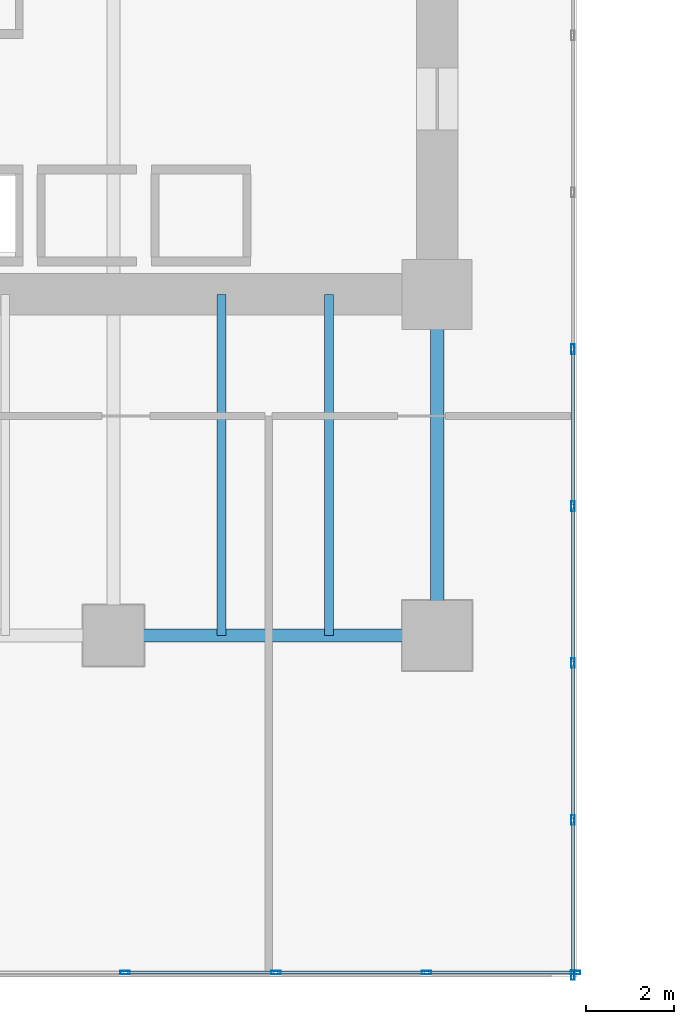
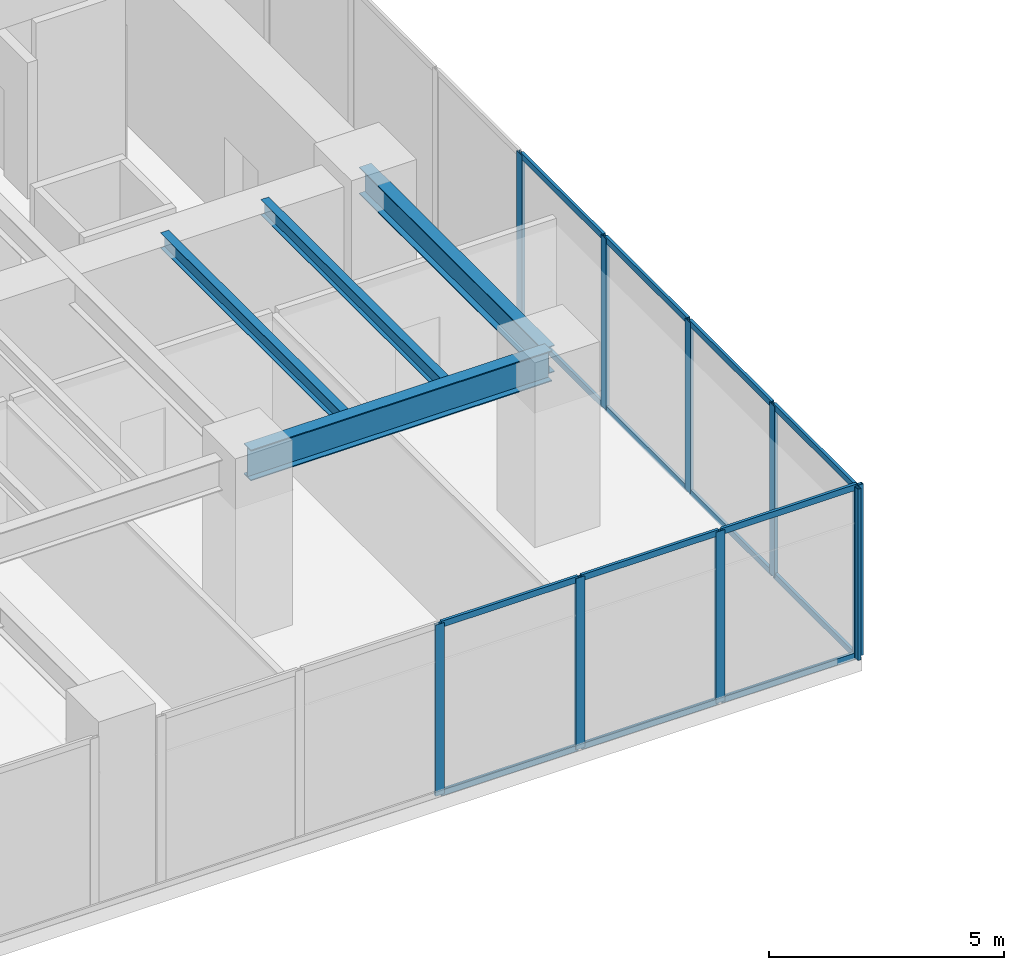
# One storey, part 4 of 33: 23 members, 4 beams, 2 elements without a shape of their own.
"""IFC4 building model written with IfcOpenShell, lengths in metres."""

from ifc_helpers import new_model, si_unit, direction, frame, origin, origin_2d, place, context, subcontext, project, spatial, hollow_rectangle, i_section, extrude, source, transform, mapped, material, layer, layer_set, material_profile, profile_set, type_object, type_shapes, element, aggregate, save


model = new_model("IFC4")

# Units and contexts
model_context = context("Model", 3, precision=1e-05, world=origin(), true_north=direction((0.0, 1.0)))
body_context = subcontext(model_context, "Body", "Model", "MODEL_VIEW")
ifc_project = project(units=[si_unit("LENGTHUNIT", "METRE"), si_unit("AREAUNIT", "SQUARE_METRE"), si_unit("VOLUMEUNIT", "CUBIC_METRE"), si_unit("PLANEANGLEUNIT", "RADIAN"), si_unit("MASSUNIT", "GRAM", prefix="KILO")], contexts=[model_context])

# Site, building, storey
site_placement = place(None, origin())
site = spatial("IfcSite", under=ifc_project, at=site_placement, CompositionType="ELEMENT")
building_placement = place(site_placement, origin())
building = spatial("IfcBuilding", under=site, at=building_placement, Name="Haelvirn Gate Laboratories", CompositionType="ELEMENT")
storey_placement = place(building_placement, frame((0.0, 0.0, 10.199951171875)))
storey = spatial("IfcBuildingStorey", under=building, at=storey_placement, Name="L03", CompositionType="ELEMENT", Elevation=10.199951171875)

# Beams
ifc_material_1 = material(Name="Steel SM420", Category="steel")
ifc_material_profile_1 = material_profile(ifc_material_1, i_section(OverallWidth=0.300048828125, OverallDepth=0.800048828125, WebThickness=0.013916015625, FlangeThickness=0.02587890625, at=origin_2d()), Name="H-800x300x14x26")
ifc_profile_set_1 = profile_set([ifc_material_profile_1], Name="Steel SM420")
beam_type_1 = type_object("IfcBeamType", Name="BM-G-800", PredefinedType="BEAM", material=ifc_profile_set_1)
shared_shape_1 = source(origin(), body_context, "Body", "SweptSolid", [
    extrude(i_section(OverallWidth=0.300048828125, OverallDepth=0.800048828125, WebThickness=0.013916015625, FlangeThickness=0.02587890625, at=origin_2d()), origin(), (0.0, 0.0, 1.0), 7.39990234375),
])
type_shapes(beam_type_1, [shared_shape_1])
beam_1_placement = place(storey_placement, frame((14.800048828125, 7.0, 4.050048828125), z_axis=(1.0, 0.0, 0.0), x_axis=(0.0, 1.0, 0.0)))
element("IfcBeam", 1, at=beam_1_placement, inside=storey, type_object=beam_type_1, Name="L03 Primary Girder Y7.0 (14.8-22.2)", PredefinedType="BEAM", context=body_context, shape_type="MappedRepresentation", body=[
    mapped(shared_shape_1, transform((0.0, 0.0, 0.0), scale=1.0)),
])
ifc_material_2 = material(Name="Steel SM355", Category="steel")
ifc_material_profile_2 = material_profile(ifc_material_2, i_section(OverallWidth=0.199951171875, OverallDepth=0.39990234375, WebThickness=0.008056640625, FlangeThickness=0.012939453125, at=origin_2d()), Name="H-400x200x8x13")
ifc_profile_set_2 = profile_set([ifc_material_profile_2], Name="Steel SM355")
beam_type_2 = type_object("IfcBeamType", Name="BM-J-400", PredefinedType="JOIST", material=ifc_profile_set_2)
shared_shape_2 = source(origin(), body_context, "Body", "SweptSolid", [
    extrude(i_section(OverallWidth=0.199951171875, OverallDepth=0.39990234375, WebThickness=0.008056640625, FlangeThickness=0.012939453125, at=origin_2d()), origin(), (0.0, 0.0, 1.0), 7.800048828125),
])
type_shapes(beam_type_2, [shared_shape_2])
for number, where, z_axis, x_axis, name in (
    (2, (17.27001953125, 7.0, 4.25), (0.0, 1.0, 0.0), (-1.0, 0.0, 0.0), "L03 Composite Lab Joist South X17.27"),
    (3, (19.72998046875, 7.0, 4.25), (0.0, 1.0, 0.0), (-1.0, 0.0, 0.0), "L03 Composite Lab Joist South X19.73"),
):
    element("IfcBeam", number, at=place(storey_placement, frame(where, z_axis=z_axis, x_axis=x_axis)), inside=storey, type_object=beam_type_2, Name=name, PredefinedType="JOIST", context=body_context, shape_type="MappedRepresentation", body=[
        mapped(shared_shape_2, transform((0.0, 0.0, 0.0), scale=1.0)),
    ])
ifc_material_profile_3 = material_profile(ifc_material_2, i_section(OverallWidth=0.300048828125, OverallDepth=0.699951171875, WebThickness=0.012939453125, FlangeThickness=0.02392578125, at=origin_2d()), Name="H-700x300x13x24")
ifc_profile_set_3 = profile_set([ifc_material_profile_3], Name="Steel SM355")
beam_type_3 = type_object("IfcBeamType", Name="BM-G-700", PredefinedType="BEAM", material=ifc_profile_set_3)
shared_shape_3 = source(origin(), body_context, "Body", "SweptSolid", [
    extrude(i_section(OverallWidth=0.300048828125, OverallDepth=0.699951171875, WebThickness=0.012939453125, FlangeThickness=0.02392578125, at=origin_2d()), origin(), (0.0, 0.0, 1.0), 7.800048828125),
])
type_shapes(beam_type_3, [shared_shape_3])
beam_2_placement = place(storey_placement, frame((22.199951171875, 7.0, 4.10009765625), z_axis=(0.0, 1.0, 0.0), x_axis=(-1.0, 0.0, 0.0)))
element("IfcBeam", 4, at=beam_2_placement, inside=storey, type_object=beam_type_3, Name="L03 Frame Girder X22.2 (7.0-14.8)", PredefinedType="BEAM", context=body_context, shape_type="MappedRepresentation", body=[
    mapped(shared_shape_3, transform((0.0, 0.0, 0.0), scale=1.0)),
])

# Curtain wall, members
ifc_material_3 = material(Name="Anodised bronze unitised aluminium & triple low-E glass", Category="aluminium")
ifc_layer = layer(ifc_material_3, 0.18798828125, Name="CW-SYS-1")
ifc_layer_set = layer_set([ifc_layer], Name="Anodised bronze unitised aluminium & triple low-E glass")
curtain_wall_type = type_object("IfcCurtainWallType", Name="CW-SYS-1", PredefinedType="NOTDEFINED", material=ifc_layer_set)
curtain_wall_1_placement = place(storey_placement, origin())
curtain_wall_1 = element("IfcCurtainWall", 5, at=curtain_wall_1_placement, inside=storey, type_object=curtain_wall_type, Name="L03 Unitised Curtain Wall CW-L03-P0-E00-1-S2", PredefinedType="NOTDEFINED")
ifc_material_4 = material(Name="Extruded aluminium 6063-T6 (anodised bronze)", Category="aluminium")
ifc_material_profile_4 = material_profile(ifc_material_4, hollow_rectangle(XDim=0.070068359375, YDim=0.159912109375, WallThickness=0.0048828125, at=origin_2d()), Name="CWT-160x70x5")
ifc_profile_set_4 = profile_set([ifc_material_profile_4], Name="Extruded aluminium 6063-T6 (anodised bronze)")
member_type_1 = type_object("IfcMemberType", Name="CWT-T160", PredefinedType="USERDEFINED", material=ifc_profile_set_4)
shared_shape_4 = source(origin(), body_context, "Body", "SweptSolid", [
    extrude(hollow_rectangle(XDim=0.070068359375, YDim=0.159912109375, WallThickness=0.0048828125, at=origin_2d()), origin(), (0.0, 0.0, 1.0), 3.323974609375),
])
member_1_placement = place(storey_placement, frame((21.99609375, -0.699951171875, 0.03515625), z_axis=(1.0, 0.0, 0.0), x_axis=(0.0, 1.0, 0.0)))
member_1 = element("IfcMember", 6, at=member_1_placement, type_object=member_type_1, Name="CW1 transom 5.1", ObjectType="TRANSOM", PredefinedType="USERDEFINED", context=body_context, shape_type="MappedRepresentation", body=[
    mapped(shared_shape_4, transform((0.0, 0.0, 0.0), scale=1.0)),
])
member_2_placement = place(storey_placement, frame((21.99609375, -0.699951171875, 4.4150390625), z_axis=(1.0, 0.0, 0.0), x_axis=(0.0, 1.0, 0.0)))
member_2 = element("IfcMember", 7, at=member_2_placement, type_object=member_type_1, Name="CW1 transom 5.2", ObjectType="TRANSOM", PredefinedType="USERDEFINED", context=body_context, shape_type="MappedRepresentation", body=[
    mapped(shared_shape_4, transform((0.0, 0.0, 0.0), scale=1.0)),
])
shared_shape_5 = source(origin(), body_context, "Body", "SweptSolid", [
    extrude(hollow_rectangle(XDim=0.070068359375, YDim=0.159912109375, WallThickness=0.0048828125, at=origin_2d()), origin(), (0.0, 0.0, 1.0), 3.364013671875),
])
member_3_placement = place(storey_placement, frame((15.10791015625, -0.699951171875, 0.03515625), z_axis=(1.0, 0.0, 0.0), x_axis=(0.0, 1.0, 0.0)))
member_3 = element("IfcMember", 8, at=member_3_placement, type_object=member_type_1, Name="CW1 transom 3.1", ObjectType="TRANSOM", PredefinedType="USERDEFINED", context=body_context, shape_type="MappedRepresentation", body=[
    mapped(shared_shape_5, transform((0.0, 0.0, 0.0), scale=1.0)),
])
member_4_placement = place(storey_placement, frame((15.10791015625, -0.699951171875, 4.4150390625), z_axis=(1.0, 0.0, 0.0), x_axis=(0.0, 1.0, 0.0)))
member_4 = element("IfcMember", 9, at=member_4_placement, type_object=member_type_1, Name="CW1 transom 3.2", ObjectType="TRANSOM", PredefinedType="USERDEFINED", context=body_context, shape_type="MappedRepresentation", body=[
    mapped(shared_shape_5, transform((0.0, 0.0, 0.0), scale=1.0)),
])
member_5_placement = place(storey_placement, frame((18.552001953125, -0.699951171875, 0.03515625), z_axis=(1.0, 0.0, 0.0), x_axis=(0.0, 1.0, 0.0)))
member_5 = element("IfcMember", 10, at=member_5_placement, type_object=member_type_1, Name="CW1 transom 4.1", ObjectType="TRANSOM", PredefinedType="USERDEFINED", context=body_context, shape_type="MappedRepresentation", body=[
    mapped(shared_shape_5, transform((0.0, 0.0, 0.0), scale=1.0)),
])
member_6_placement = place(storey_placement, frame((18.552001953125, -0.699951171875, 4.4150390625), z_axis=(1.0, 0.0, 0.0), x_axis=(0.0, 1.0, 0.0)))
member_6 = element("IfcMember", 11, at=member_6_placement, type_object=member_type_1, Name="CW1 transom 4.2", ObjectType="TRANSOM", PredefinedType="USERDEFINED", context=body_context, shape_type="MappedRepresentation", body=[
    mapped(shared_shape_5, transform((0.0, 0.0, 0.0), scale=1.0)),
])

curtain_wall_2_placement = place(storey_placement, origin())
curtain_wall_2 = element("IfcCurtainWall", 12, at=curtain_wall_2_placement, inside=storey, type_object=curtain_wall_type, Name="L03 Unitised Curtain Wall CW-L03-P0-E01", PredefinedType="NOTDEFINED")
shared_shape_6 = source(origin(), body_context, "Body", "SweptSolid", [
    extrude(hollow_rectangle(XDim=0.070068359375, YDim=0.159912109375, WallThickness=0.0048828125, at=origin_2d()), origin(), (0.0, 0.0, 1.0), 3.465576171875),
])
member_7_placement = place(storey_placement, frame((25.300048828125, -0.719970703125, 0.03515625), z_axis=(0.0, 1.0, 0.0), x_axis=(-1.0, 0.0, 0.0)))
member_7 = element("IfcMember", 13, at=member_7_placement, type_object=member_type_1, Name="CW1 transom 1.1", ObjectType="TRANSOM", PredefinedType="USERDEFINED", context=body_context, shape_type="MappedRepresentation", body=[
    mapped(shared_shape_6, transform((0.0, 0.0, 0.0), scale=1.0)),
])
member_8_placement = place(storey_placement, frame((25.300048828125, -0.719970703125, 4.4150390625), z_axis=(0.0, 1.0, 0.0), x_axis=(-1.0, 0.0, 0.0)))
member_8 = element("IfcMember", 14, at=member_8_placement, type_object=member_type_1, Name="CW1 transom 1.2", ObjectType="TRANSOM", PredefinedType="USERDEFINED", context=body_context, shape_type="MappedRepresentation", body=[
    mapped(shared_shape_6, transform((0.0, 0.0, 0.0), scale=1.0)),
])
shared_shape_7 = source(origin(), body_context, "Body", "SweptSolid", [
    extrude(hollow_rectangle(XDim=0.070068359375, YDim=0.159912109375, WallThickness=0.0048828125, at=origin_2d()), origin(), (0.0, 0.0, 1.0), 3.505859375),
])
type_shapes(member_type_1, [shared_shape_4, shared_shape_5, shared_shape_6, shared_shape_7])
member_9_placement = place(storey_placement, frame((25.300048828125, 2.82568359375, 0.03515625), z_axis=(0.0, 1.0, 0.0), x_axis=(-1.0, 0.0, 0.0)))
member_9 = element("IfcMember", 15, at=member_9_placement, type_object=member_type_1, Name="CW1 transom 2.1", ObjectType="TRANSOM", PredefinedType="USERDEFINED", context=body_context, shape_type="MappedRepresentation", body=[
    mapped(shared_shape_7, transform((0.0, 0.0, 0.0), scale=1.0)),
])
member_10_placement = place(storey_placement, frame((25.300048828125, 2.82568359375, 4.4150390625), z_axis=(0.0, 1.0, 0.0), x_axis=(-1.0, 0.0, 0.0)))
member_10 = element("IfcMember", 16, at=member_10_placement, type_object=member_type_1, Name="CW1 transom 2.2", ObjectType="TRANSOM", PredefinedType="USERDEFINED", context=body_context, shape_type="MappedRepresentation", body=[
    mapped(shared_shape_7, transform((0.0, 0.0, 0.0), scale=1.0)),
])
member_11_placement = place(storey_placement, frame((25.300048828125, 6.411376953125, 0.03515625), z_axis=(0.0, 1.0, 0.0), x_axis=(-1.0, 0.0, 0.0)))
member_11 = element("IfcMember", 17, at=member_11_placement, type_object=member_type_1, Name="CW1 transom 3.1", ObjectType="TRANSOM", PredefinedType="USERDEFINED", context=body_context, shape_type="MappedRepresentation", body=[
    mapped(shared_shape_7, transform((0.0, 0.0, 0.0), scale=1.0)),
])
member_12_placement = place(storey_placement, frame((25.300048828125, 6.411376953125, 4.4150390625), z_axis=(0.0, 1.0, 0.0), x_axis=(-1.0, 0.0, 0.0)))
member_12 = element("IfcMember", 18, at=member_12_placement, type_object=member_type_1, Name="CW1 transom 3.2", ObjectType="TRANSOM", PredefinedType="USERDEFINED", context=body_context, shape_type="MappedRepresentation", body=[
    mapped(shared_shape_7, transform((0.0, 0.0, 0.0), scale=1.0)),
])
member_13_placement = place(storey_placement, frame((25.300048828125, 9.9970703125, 0.03515625), z_axis=(0.0, 1.0, 0.0), x_axis=(-1.0, 0.0, 0.0)))
member_13 = element("IfcMember", 19, at=member_13_placement, type_object=member_type_1, Name="CW1 transom 4.1", ObjectType="TRANSOM", PredefinedType="USERDEFINED", context=body_context, shape_type="MappedRepresentation", body=[
    mapped(shared_shape_7, transform((0.0, 0.0, 0.0), scale=1.0)),
])
member_14_placement = place(storey_placement, frame((25.300048828125, 9.9970703125, 4.4150390625), z_axis=(0.0, 1.0, 0.0), x_axis=(-1.0, 0.0, 0.0)))
member_14 = element("IfcMember", 20, at=member_14_placement, type_object=member_type_1, Name="CW1 transom 4.2", ObjectType="TRANSOM", PredefinedType="USERDEFINED", context=body_context, shape_type="MappedRepresentation", body=[
    mapped(shared_shape_7, transform((0.0, 0.0, 0.0), scale=1.0)),
])

# Member
ifc_material_profile_5 = material_profile(ifc_material_4, hollow_rectangle(XDim=0.080078125, YDim=0.219970703125, WallThickness=0.006103515625, at=origin_2d()), Name="CWM-220x80x6")
ifc_profile_set_5 = profile_set([ifc_material_profile_5], Name="Extruded aluminium 6063-T6 (anodised bronze)")
member_type_2 = type_object("IfcMemberType", Name="CWM-T220", PredefinedType="MULLION", material=ifc_profile_set_5)
shared_shape_8 = source(origin(), body_context, "Body", "SweptSolid", [
    extrude(hollow_rectangle(XDim=0.080078125, YDim=0.219970703125, WallThickness=0.006103515625, at=origin_2d()), origin(), (0.0, 0.0, 1.0), 4.449951171875),
])
type_shapes(member_type_2, [shared_shape_8])
member_15_placement = place(storey_placement, frame((15.068115234375, -0.699951171875, 0.0), z_axis=(0.0, 0.0, 1.0), x_axis=(0.0, 1.0, 0.0)))
member_15 = element("IfcMember", 21, at=member_15_placement, type_object=member_type_2, Name="CW1 mullion 3", PredefinedType="MULLION", context=body_context, shape_type="MappedRepresentation", body=[
    mapped(shared_shape_8, transform((0.0, 0.0, 0.0), scale=1.0)),
])

member_16_placement = place(storey_placement, frame((18.511962890625, -0.699951171875, 0.0), z_axis=(0.0, 0.0, 1.0), x_axis=(0.0, 1.0, 0.0)))
member_16 = element("IfcMember", 22, at=member_16_placement, type_object=member_type_2, Name="CW1 mullion 4", PredefinedType="MULLION", context=body_context, shape_type="MappedRepresentation", body=[
    mapped(shared_shape_8, transform((0.0, 0.0, 0.0), scale=1.0)),
])

member_17_placement = place(storey_placement, frame((21.9560546875, -0.699951171875, 0.0), z_axis=(0.0, 0.0, 1.0), x_axis=(0.0, 1.0, 0.0)))
member_17 = element("IfcMember", 23, at=member_17_placement, type_object=member_type_2, Name="CW1 mullion 5", PredefinedType="MULLION", context=body_context, shape_type="MappedRepresentation", body=[
    mapped(shared_shape_8, transform((0.0, 0.0, 0.0), scale=1.0)),
])

member_18_placement = place(storey_placement, frame((25.360107421875, -0.699951171875, 0.0), z_axis=(0.0, 0.0, 1.0), x_axis=(0.0, 1.0, 0.0)))
member_18 = element("IfcMember", 24, at=member_18_placement, type_object=member_type_2, Name="CW1 mullion 6", PredefinedType="MULLION", context=body_context, shape_type="MappedRepresentation", body=[
    mapped(shared_shape_8, transform((0.0, 0.0, 0.0), scale=1.0)),
])

aggregate(curtain_wall_1, [member_15, member_16, member_17, member_18, member_3, member_4, member_5, member_6, member_1, member_2])

member_19_placement = place(storey_placement, frame((25.300048828125, -0.760009765625, 0.0), z_axis=(0.0, 0.0, 1.0), x_axis=(-1.0, 0.0, 0.0)))
member_19 = element("IfcMember", 25, at=member_19_placement, type_object=member_type_2, Name="CW1 mullion 1", PredefinedType="MULLION", context=body_context, shape_type="MappedRepresentation", body=[
    mapped(shared_shape_8, transform((0.0, 0.0, 0.0), scale=1.0)),
])

member_20_placement = place(storey_placement, frame((25.300048828125, 2.78564453125, 0.0), z_axis=(0.0, 0.0, 1.0), x_axis=(-1.0, 0.0, 0.0)))
member_20 = element("IfcMember", 26, at=member_20_placement, type_object=member_type_2, Name="CW1 mullion 2", PredefinedType="MULLION", context=body_context, shape_type="MappedRepresentation", body=[
    mapped(shared_shape_8, transform((0.0, 0.0, 0.0), scale=1.0)),
])

member_21_placement = place(storey_placement, frame((25.300048828125, 6.371337890625, 0.0), z_axis=(0.0, 0.0, 1.0), x_axis=(-1.0, 0.0, 0.0)))
member_21 = element("IfcMember", 27, at=member_21_placement, type_object=member_type_2, Name="CW1 mullion 3", PredefinedType="MULLION", context=body_context, shape_type="MappedRepresentation", body=[
    mapped(shared_shape_8, transform((0.0, 0.0, 0.0), scale=1.0)),
])

member_22_placement = place(storey_placement, frame((25.300048828125, 9.95703125, 0.0), z_axis=(0.0, 0.0, 1.0), x_axis=(-1.0, 0.0, 0.0)))
member_22 = element("IfcMember", 28, at=member_22_placement, type_object=member_type_2, Name="CW1 mullion 4", PredefinedType="MULLION", context=body_context, shape_type="MappedRepresentation", body=[
    mapped(shared_shape_8, transform((0.0, 0.0, 0.0), scale=1.0)),
])

member_23_placement = place(storey_placement, frame((25.300048828125, 13.54296875, 0.0), z_axis=(0.0, 0.0, 1.0), x_axis=(-1.0, 0.0, 0.0)))
member_23 = element("IfcMember", 29, at=member_23_placement, type_object=member_type_2, Name="CW1 mullion 5", PredefinedType="MULLION", context=body_context, shape_type="MappedRepresentation", body=[
    mapped(shared_shape_8, transform((0.0, 0.0, 0.0), scale=1.0)),
])

aggregate(curtain_wall_2, [member_19, member_20, member_21, member_22, member_23, member_7, member_8, member_9, member_10, member_11, member_12, member_13, member_14])

save(model, "model.ifc")
